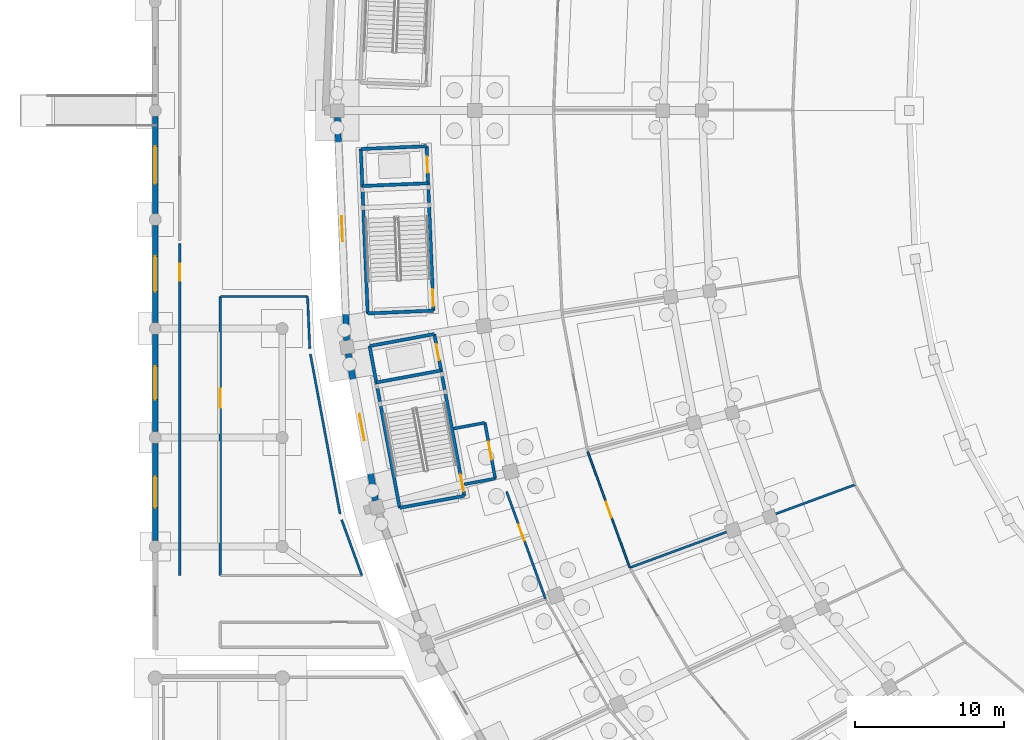
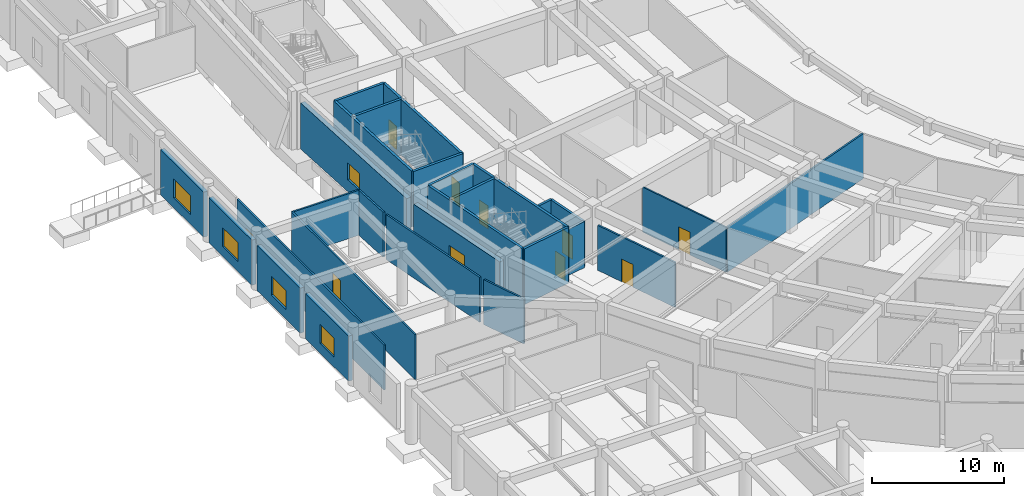
# One storey, part 45 of 88: 28 walls, 9 doors, 6 windows, 15 openings.
"""IFC4 building model written with IfcOpenShell, lengths in metres."""

from ifc_helpers import new_model, si_unit, direction, frame, frame_2d, origin, place, context, subcontext, project, spatial, rectangle, extrude, material, layer, layer_set, type_object, element, fill, save


model = new_model("IFC4")

# Units and contexts
model_context = context("Model", 3, precision=1e-05, world=origin(), true_north=direction((0.0, 1.0)))
body_context = subcontext(model_context, "Body", "Model", "MODEL_VIEW")
ifc_project = project(units=[si_unit("LENGTHUNIT", "METRE"), si_unit("AREAUNIT", "SQUARE_METRE"), si_unit("VOLUMEUNIT", "CUBIC_METRE"), si_unit("PLANEANGLEUNIT", "RADIAN"), si_unit("MASSUNIT", "GRAM", prefix="KILO")], contexts=[model_context])

# Site, building, storey
site_placement = place(None, origin())
site = spatial("IfcSite", under=ifc_project, at=site_placement, CompositionType="ELEMENT")
building_placement = place(site_placement, origin())
building = spatial("IfcBuilding", under=site, at=building_placement, Name="Mphavela Belvedere Stadium", CompositionType="ELEMENT")
storey_placement = place(building_placement, origin())
storey = spatial("IfcBuildingStorey", under=building, at=storey_placement, Name="L00", CompositionType="ELEMENT", Elevation=0.0)

# Walls
ifc_material_1 = material(Name="Concrete C40/50", Category="concrete")
ifc_layer_1 = layer(ifc_material_1, 0.219970703125)
ifc_layer_set_1 = layer_set([ifc_layer_1], Name="Concrete C40/50")
wall_type_1 = type_object("IfcWallType", Name="WAL-CORE-SHEAR-220", PredefinedType="SHEAR", material=ifc_layer_set_1)
wall_1_placement = place(storey_placement, frame((14.228271484375, 73.414794921875, 0.0), z_axis=(0.0, 0.0, 1.0), x_axis=(-0.041871977473, 0.999122984173, 0.0)))
element("IfcWall", 1, at=wall_1_placement, inside=storey, type_object=wall_type_1, Name="Core C08 shear wall L00 rear", PredefinedType="SHEAR", context=body_context, shape_type="SweptSolid", body=[
    extrude(rectangle(XDim=11.02001953125, YDim=0.219970703125, at=frame_2d((5.510009765625, 0.0))), origin(), (0.0, 0.0, 1.0), 5.14990234375),
])
for number, where, z_axis, x_axis, name in (
    (2, (18.634521484375, 73.599609375, 0.0), (0.0, 0.0, 1.0), (-0.999121521721, -0.041906859039, 0.0), "Core C08 shear wall L00 left"),
    (3, (18.173095703125, 84.60986328125, 0.0), (0.0, 0.0, 1.0), (-0.999121521721, -0.041906859039, 0.0), "Core C08 shear wall L00 right"),
):
    element("IfcWall", number, at=place(storey_placement, frame(where, z_axis=z_axis, x_axis=x_axis)), inside=storey, type_object=wall_type_1, Name=name, PredefinedType="SHEAR", context=body_context, shape_type="SweptSolid", body=[
        extrude(rectangle(XDim=4.41015625, YDim=0.219970703125, at=frame_2d((2.205078125, 0.0))), origin(), (0.0, 0.0, 1.0), 5.14990234375),
    ])

# Wall, openings, doors
wall_2_placement = place(storey_placement, frame((18.634521484375, 73.599609375, 0.0), z_axis=(0.0, 0.0, 1.0), x_axis=(-0.041871977473, 0.999122984173, 0.0)))
wall_2 = element("IfcWall", 4, at=wall_2_placement, inside=storey, type_object=wall_type_1, Name="Core C08 shear wall L00 front", PredefinedType="SHEAR", context=body_context, shape_type="SweptSolid", body=[
    extrude(rectangle(XDim=11.02001953125, YDim=0.219970703125, at=frame_2d((5.510009765625, 0.0))), origin(), (0.0, 0.0, 1.0), 5.14990234375),
])
opening_1_placement = place(wall_2_placement, frame((0.300048828125, 0.0, 0.0)))
opening_1 = element("IfcOpeningElement", 5, at=opening_1_placement, cuts=wall_2, Name="Opening SD-039", PredefinedType="OPENING", context=body_context, shape_type="SweptSolid", body=[
    extrude(rectangle(XDim=1.14990234375, YDim=2.14990234375, at=frame_2d((0.574951171875, 1.074951171875))), frame((0.0, 0.1201171875, 0.0), z_axis=(0.0, -1.0, 0.0), x_axis=(1.0, 0.0, 0.0)), (0.0, 0.0, 1.0), 0.239990234375),
])
opening_2_placement = place(wall_2_placement, frame((9.22998046875, 0.0, 0.0)))
opening_2 = element("IfcOpeningElement", 6, at=opening_2_placement, cuts=wall_2, Name="Opening LD-039", PredefinedType="OPENING", context=body_context, shape_type="SweptSolid", body=[
    extrude(rectangle(XDim=1.10009765625, YDim=2.14990234375, at=frame_2d((0.550048828125, 1.074951171875))), frame((0.0, 0.1201171875, 0.0), z_axis=(0.0, -1.0, 0.0), x_axis=(1.0, 0.0, 0.0)), (0.0, 0.0, 1.0), 0.239990234375),
])
ifc_material_2 = material(Name="Stainless steel center-parting lift landing door", Category="steel")
door_type_1 = type_object("IfcDoorType", Name="DR-LIFT-SLIDE-1100", OperationType="NOTDEFINED", PredefinedType="DOOR", material=ifc_material_2)
door_1_placement = place(opening_2_placement, origin())
door_1 = element("IfcDoor", 7, at=door_1_placement, inside=storey, type_object=door_type_1, Name="Lift landing sliding door PL04 L00", OperationType="DOUBLE_DOOR_SLIDING", OverallHeight=2.14990234375, OverallWidth=1.10009765625, PredefinedType="DOOR", context=body_context, shape_type="SweptSolid", body=[
    extrude(rectangle(XDim=1.10009765625, YDim=2.14990234375, at=frame_2d((0.550048828125, 1.074951171875))), frame((0.0, 0.02490234375, 0.0), z_axis=(0.0, -1.0, 0.0), x_axis=(1.0, 0.0, 0.0)), (0.0, 0.0, 1.0), 0.050048828125),
])
fill(opening_2, door_1)
ifc_material_3 = material(Name="Steel acoustic fire-resisting stair doorset", Category="steel")
door_type_2 = type_object("IfcDoorType", Name="DR-STAIR-FIRE-1150", OperationType="NOTDEFINED", PredefinedType="DOOR", material=ifc_material_3)
door_2_placement = place(opening_1_placement, origin())
door_2 = element("IfcDoor", 8, at=door_2_placement, inside=storey, type_object=door_type_2, Name="Escape stair fire door C08 L00", OperationType="SINGLE_SWING_LEFT", OverallHeight=2.14990234375, OverallWidth=1.14990234375, PredefinedType="DOOR", context=body_context, shape_type="SweptSolid", body=[
    extrude(rectangle(XDim=1.14990234375, YDim=2.14990234375, at=frame_2d((0.574951171875, 1.074951171875))), frame((0.0, 0.02490234375, 0.0), z_axis=(0.0, -1.0, 0.0), x_axis=(1.0, 0.0, 0.0)), (0.0, 0.0, 1.0), 0.050048828125),
])
fill(opening_1, door_2)

# Walls
wall_3_placement = place(storey_placement, frame((18.27685546875, 82.132080078125, 0.0), z_axis=(0.0, 0.0, 1.0), x_axis=(-0.999121521721, -0.041906859039, 0.0)))
element("IfcWall", 9, at=wall_3_placement, inside=storey, type_object=wall_type_1, Name="Core C08 shear wall L00 div", PredefinedType="SHEAR", context=body_context, shape_type="SweptSolid", body=[
    extrude(rectangle(XDim=4.41015625, YDim=0.219970703125, at=frame_2d((2.205078125, 0.0))), origin(), (0.0, 0.0, 1.0), 5.14990234375),
])
wall_4_placement = place(storey_placement, frame((16.367919921875, 60.391845703125, 0.0), z_axis=(0.0, 0.0, 1.0), x_axis=(-0.182570778451, 0.983192712979, 0.0)))
element("IfcWall", 10, at=wall_4_placement, inside=storey, type_object=wall_type_1, Name="Core C09 shear wall L00 rear", PredefinedType="SHEAR", context=body_context, shape_type="SweptSolid", body=[
    extrude(rectangle(XDim=11.020263671875, YDim=0.219970703125, at=frame_2d((5.51025390625, 0.0))), origin(), (0.0, 0.0, 1.0), 5.14990234375),
])
for number, where, z_axis, x_axis, name in (
    (11, (20.703857421875, 61.197021484375, 0.0), (0.0, 0.0, 1.0), (-0.983191575486, -0.182576904051, 0.0), "Core C09 shear wall L00 left"),
    (12, (18.69189453125, 72.031982421875, 0.0), (0.0, 0.0, 1.0), (-0.983191575486, -0.182576904051, 0.0), "Core C09 shear wall L00 right"),
):
    element("IfcWall", number, at=place(storey_placement, frame(where, z_axis=z_axis, x_axis=x_axis)), inside=storey, type_object=wall_type_1, Name=name, PredefinedType="SHEAR", context=body_context, shape_type="SweptSolid", body=[
        extrude(rectangle(XDim=4.41015625, YDim=0.219970703125, at=frame_2d((2.205078125, 0.0))), origin(), (0.0, 0.0, 1.0), 5.14990234375),
    ])

# Wall, openings, doors
wall_5_placement = place(storey_placement, frame((20.703857421875, 61.197021484375, 0.0), z_axis=(0.0, 0.0, 1.0), x_axis=(-0.182570778451, 0.983192712979, 0.0)))
wall_5 = element("IfcWall", 13, at=wall_5_placement, inside=storey, type_object=wall_type_1, Name="Core C09 shear wall L00 front", PredefinedType="SHEAR", context=body_context, shape_type="SweptSolid", body=[
    extrude(rectangle(XDim=11.020263671875, YDim=0.219970703125, at=frame_2d((5.51025390625, 0.0))), origin(), (0.0, 0.0, 1.0), 5.14990234375),
])
opening_3_placement = place(wall_5_placement, frame((0.300048828125, 0.0, 0.0)))
opening_3 = element("IfcOpeningElement", 14, at=opening_3_placement, cuts=wall_5, Name="Opening SD-045", PredefinedType="OPENING", context=body_context, shape_type="SweptSolid", body=[
    extrude(rectangle(XDim=1.14990234375, YDim=2.14990234375, at=frame_2d((0.574951171875, 1.074951171875))), frame((0.0, 0.1201171875, 0.0), z_axis=(0.0, -1.0, 0.0), x_axis=(1.0, 0.0, 0.0)), (0.0, 0.0, 1.0), 0.239990234375),
])
opening_4_placement = place(wall_5_placement, frame((9.22998046875, 0.0, 0.0)))
opening_4 = element("IfcOpeningElement", 15, at=opening_4_placement, cuts=wall_5, Name="Opening LD-045", PredefinedType="OPENING", context=body_context, shape_type="SweptSolid", body=[
    extrude(rectangle(XDim=1.10009765625, YDim=2.14990234375, at=frame_2d((0.550048828125, 1.074951171875))), frame((0.0, 0.1201171875, 0.0), z_axis=(0.0, -1.0, 0.0), x_axis=(1.0, 0.0, 0.0)), (0.0, 0.0, 1.0), 0.239990234375),
])
door_3_placement = place(opening_4_placement, origin())
door_3 = element("IfcDoor", 16, at=door_3_placement, inside=storey, type_object=door_type_1, Name="Lift landing sliding door FL04 L00", OperationType="DOUBLE_DOOR_SLIDING", OverallHeight=2.14990234375, OverallWidth=1.10009765625, PredefinedType="DOOR", context=body_context, shape_type="SweptSolid", body=[
    extrude(rectangle(XDim=1.10009765625, YDim=2.14990234375, at=frame_2d((0.550048828125, 1.074951171875))), frame((0.0, 0.02490234375, 0.0), z_axis=(0.0, -1.0, 0.0), x_axis=(1.0, 0.0, 0.0)), (0.0, 0.0, 1.0), 0.050048828125),
])
fill(opening_4, door_3)
door_4_placement = place(opening_3_placement, origin())
door_4 = element("IfcDoor", 17, at=door_4_placement, inside=storey, type_object=door_type_2, Name="Escape stair fire door C09 L00", OperationType="SINGLE_SWING_LEFT", OverallHeight=2.14990234375, OverallWidth=1.14990234375, PredefinedType="DOOR", context=body_context, shape_type="SweptSolid", body=[
    extrude(rectangle(XDim=1.14990234375, YDim=2.14990234375, at=frame_2d((0.574951171875, 1.074951171875))), frame((0.0, 0.02490234375, 0.0), z_axis=(0.0, -1.0, 0.0), x_axis=(1.0, 0.0, 0.0)), (0.0, 0.0, 1.0), 0.050048828125),
])
fill(opening_3, door_4)

# Wall
wall_6_placement = place(storey_placement, frame((19.14453125, 69.593505859375, 0.0), z_axis=(0.0, 0.0, 1.0), x_axis=(-0.983189729951, -0.18258684213, 0.0)))
element("IfcWall", 18, at=wall_6_placement, inside=storey, type_object=wall_type_1, Name="Core C09 shear wall L00 div", PredefinedType="SHEAR", context=body_context, shape_type="SweptSolid", body=[
    extrude(rectangle(XDim=4.409912109375, YDim=0.219970703125, at=frame_2d((2.205078125, 0.0))), origin(), (0.0, 0.0, 1.0), 5.14990234375),
])

# Wall, opening, window
ifc_material_4 = material(Name="Honed ashlar limestone masonry", Category="masonry")
ifc_layer_2 = layer(ifc_material_4, 0.35009765625)
ifc_layer_set_2 = layer_set([ifc_layer_2], Name="Honed ashlar limestone masonry")
wall_type_2 = type_object("IfcWallType", Name="WAL-EXT-ASHLAR-350", PredefinedType="STANDARD", material=ifc_layer_set_2)
wall_7_placement = place(storey_placement, frame((0.0, 58.197998046875, 0.0), z_axis=(0.0, 0.0, 1.0), x_axis=(0.0, 1.0, 0.0)))
wall_7 = element("IfcWall", 19, at=wall_7_placement, inside=storey, type_object=wall_type_2, Name="West Planted Eaves Peristyle Colonnade outer facade bay L00-02", PredefinedType="STANDARD", context=body_context, shape_type="SweptSolid", body=[
    extrude(rectangle(XDim=6.50390625, YDim=0.35009765625, at=frame_2d((3.251953125, 0.0))), origin(), (0.0, 0.0, 1.0), 4.159912109375),
])
opening_5_placement = place(wall_7_placement, frame((2.2119140625, 0.0, 0.89990234375)))
opening_5 = element("IfcOpeningElement", 20, at=opening_5_placement, cuts=wall_7, Name="Opening W-239", PredefinedType="OPENING", context=body_context, shape_type="SweptSolid", body=[
    extrude(rectangle(XDim=2.080078125, YDim=1.75, at=frame_2d((1.0400390625, 0.875))), frame((0.0, 0.18505859375, 0.0), z_axis=(0.0, -1.0, 0.0), x_axis=(1.0, 0.0, 0.0)), (0.0, 0.0, 1.0), 0.3701171875),
])
ifc_material_5 = material(Name="Bronze-anodised thermally broken aluminium window", Category="aluminium")
window_type_1 = type_object("IfcWindowType", Name="WIN-EXT-19", PartitioningType="SINGLE_PANEL", PredefinedType="WINDOW", material=ifc_material_5)
window_1_placement = place(opening_5_placement, origin())
window_1 = element("IfcWindow", 21, at=window_1_placement, inside=storey, type_object=window_type_1, Name="West Planted Eaves Peristyle Colonnade classical window W-239", OverallHeight=1.75, OverallWidth=2.080078125, PartitioningType="SINGLE_PANEL", PredefinedType="WINDOW", context=body_context, shape_type="SweptSolid", body=[
    extrude(rectangle(XDim=2.080078125, YDim=1.75, at=frame_2d((1.0400390625, 0.875))), frame((0.0, 0.030029296875, 0.0), z_axis=(0.0, -1.0, 0.0), x_axis=(1.0, 0.0, 0.0)), (0.0, 0.0, 1.0), 0.06005859375),
])
fill(opening_5, window_1)

wall_8_placement = place(storey_placement, frame((0.0, 65.498046875, 0.0), z_axis=(0.0, 0.0, 1.0), x_axis=(0.0, 1.0, 0.0)))
wall_8 = element("IfcWall", 22, at=wall_8_placement, inside=storey, type_object=wall_type_2, Name="West Planted Eaves Peristyle Colonnade outer facade bay L00-03", PredefinedType="STANDARD", context=body_context, shape_type="SweptSolid", body=[
    extrude(rectangle(XDim=6.50390625, YDim=0.35009765625, at=frame_2d((3.251953125, 0.0))), origin(), (0.0, 0.0, 1.0), 4.159912109375),
])
opening_6_placement = place(wall_8_placement, frame((2.14208984375, 0.0, 0.89990234375)))
opening_6 = element("IfcOpeningElement", 23, at=opening_6_placement, cuts=wall_8, Name="Opening W-240", PredefinedType="OPENING", context=body_context, shape_type="SweptSolid", body=[
    extrude(rectangle(XDim=2.219970703125, YDim=1.75, at=frame_2d((1.10986328125, 0.875))), frame((0.0, 0.18505859375, 0.0), z_axis=(0.0, -1.0, 0.0), x_axis=(1.0, 0.0, 0.0)), (0.0, 0.0, 1.0), 0.3701171875),
])
ifc_material_6 = material(Name="Bronze-anodised thermally broken aluminium window", Category="aluminium")
window_type_2 = type_object("IfcWindowType", Name="WIN-EXT-20", PartitioningType="SINGLE_PANEL", PredefinedType="WINDOW", material=ifc_material_6)
window_2_placement = place(opening_6_placement, origin())
window_2 = element("IfcWindow", 24, at=window_2_placement, inside=storey, type_object=window_type_2, Name="West Planted Eaves Peristyle Colonnade classical window W-240", OverallHeight=1.75, OverallWidth=2.219970703125, PartitioningType="SINGLE_PANEL", PredefinedType="WINDOW", context=body_context, shape_type="SweptSolid", body=[
    extrude(rectangle(XDim=2.219970703125, YDim=1.75, at=frame_2d((1.10986328125, 0.875))), frame((0.0, 0.030029296875, 0.0), z_axis=(0.0, -1.0, 0.0), x_axis=(1.0, 0.0, 0.0)), (0.0, 0.0, 1.0), 0.06005859375),
])
fill(opening_6, window_2)

wall_9_placement = place(storey_placement, frame((0.0, 72.798095703125, 0.0), z_axis=(0.0, 0.0, 1.0), x_axis=(0.0, 1.0, 0.0)))
wall_9 = element("IfcWall", 25, at=wall_9_placement, inside=storey, type_object=wall_type_2, Name="West Planted Eaves Peristyle Colonnade outer facade bay L00-04", PredefinedType="STANDARD", context=body_context, shape_type="SweptSolid", body=[
    extrude(rectangle(XDim=6.50390625, YDim=0.35009765625, at=frame_2d((3.251953125, 0.0))), origin(), (0.0, 0.0, 1.0), 4.159912109375),
])
opening_7_placement = place(wall_9_placement, frame((2.072021484375, 0.0, 0.89990234375)))
opening_7 = element("IfcOpeningElement", 26, at=opening_7_placement, cuts=wall_9, Name="Opening W-241", PredefinedType="OPENING", context=body_context, shape_type="SweptSolid", body=[
    extrude(rectangle(XDim=2.360107421875, YDim=1.75, at=frame_2d((1.18017578125, 0.875))), frame((0.0, 0.18505859375, 0.0), z_axis=(0.0, -1.0, 0.0), x_axis=(1.0, 0.0, 0.0)), (0.0, 0.0, 1.0), 0.3701171875),
])
ifc_material_7 = material(Name="Bronze-anodised thermally broken aluminium window", Category="aluminium")
window_type_3 = type_object("IfcWindowType", Name="WIN-EXT-21", PartitioningType="SINGLE_PANEL", PredefinedType="WINDOW", material=ifc_material_7)
window_3_placement = place(opening_7_placement, origin())
window_3 = element("IfcWindow", 27, at=window_3_placement, inside=storey, type_object=window_type_3, Name="West Planted Eaves Peristyle Colonnade classical window W-241", OverallHeight=1.75, OverallWidth=2.360107421875, PartitioningType="SINGLE_PANEL", PredefinedType="WINDOW", context=body_context, shape_type="SweptSolid", body=[
    extrude(rectangle(XDim=2.360107421875, YDim=1.75, at=frame_2d((1.18017578125, 0.875))), frame((0.0, 0.030029296875, 0.0), z_axis=(0.0, -1.0, 0.0), x_axis=(1.0, 0.0, 0.0)), (0.0, 0.0, 1.0), 0.06005859375),
])
fill(opening_7, window_3)

wall_10_placement = place(storey_placement, frame((0.0, 80.097900390625, 0.0), z_axis=(0.0, 0.0, 1.0), x_axis=(0.0, 1.0, 0.0)))
wall_10 = element("IfcWall", 28, at=wall_10_placement, inside=storey, type_object=wall_type_2, Name="West Planted Eaves Peristyle Colonnade outer facade bay L00-05", PredefinedType="STANDARD", context=body_context, shape_type="SweptSolid", body=[
    extrude(rectangle(XDim=6.504150390625, YDim=0.35009765625, at=frame_2d((3.251953125, 0.0))), origin(), (0.0, 0.0, 1.0), 4.159912109375),
])
opening_8_placement = place(wall_10_placement, frame((1.991943359375, 0.0, 0.89990234375)))
opening_8 = element("IfcOpeningElement", 29, at=opening_8_placement, cuts=wall_10, Name="Opening W-242", PredefinedType="OPENING", context=body_context, shape_type="SweptSolid", body=[
    extrude(rectangle(XDim=2.52001953125, YDim=1.75, at=frame_2d((1.260009765625, 0.875))), frame((0.0, 0.18505859375, 0.0), z_axis=(0.0, -1.0, 0.0), x_axis=(1.0, 0.0, 0.0)), (0.0, 0.0, 1.0), 0.3701171875),
])
ifc_material_8 = material(Name="Bronze-anodised thermally broken aluminium window", Category="aluminium")
window_type_4 = type_object("IfcWindowType", Name="WIN-EXT-22", PartitioningType="SINGLE_PANEL", PredefinedType="WINDOW", material=ifc_material_8)
window_4_placement = place(opening_8_placement, origin())
window_4 = element("IfcWindow", 30, at=window_4_placement, inside=storey, type_object=window_type_4, Name="West Planted Eaves Peristyle Colonnade classical window W-242", OverallHeight=1.75, OverallWidth=2.52001953125, PartitioningType="SINGLE_PANEL", PredefinedType="WINDOW", context=body_context, shape_type="SweptSolid", body=[
    extrude(rectangle(XDim=2.52001953125, YDim=1.75, at=frame_2d((1.260009765625, 0.875))), frame((0.0, 0.030029296875, 0.0), z_axis=(0.0, -1.0, 0.0), x_axis=(1.0, 0.0, 0.0)), (0.0, 0.0, 1.0), 0.06005859375),
])
fill(opening_8, window_4)

ifc_material_9 = material(Name="Rusticated ashlar limestone masonry", Category="masonry")
ifc_layer_3 = layer(ifc_material_9, 0.39990234375)
ifc_layer_set_3 = layer_set([ifc_layer_3], Name="Rusticated ashlar limestone masonry")
wall_type_3 = type_object("IfcWallType", Name="WAL-EXT-ASHLAR-400", PredefinedType="STANDARD", material=ifc_layer_set_3)
wall_11_placement = place(storey_placement, frame((12.82568359375, 71.6025390625, 0.0), z_axis=(0.0, 0.0, 1.0), x_axis=(-0.041899972393, 0.999121810548, 0.0)))
wall_11 = element("IfcWall", 31, at=wall_11_placement, inside=storey, type_object=wall_type_3, Name="Ground plinth rusticated ashlar wall 25", PredefinedType="STANDARD", context=body_context, shape_type="SweptSolid", body=[
    extrude(rectangle(XDim=14.963134765625, YDim=0.39990234375, at=frame_2d((7.4814453125, 0.0))), origin(), (0.0, 0.0, 1.0), 4.25),
])
opening_9_placement = place(wall_11_placement, frame((6.651611328125, 0.0, 1.10009765625)))
opening_9 = element("IfcOpeningElement", 32, at=opening_9_placement, cuts=wall_11, Name="Opening W-005", PredefinedType="OPENING", context=body_context, shape_type="SweptSolid", body=[
    extrude(rectangle(XDim=1.659912109375, YDim=1.550048828125, at=frame_2d((0.830078125, 0.77490234375))), frame((0.0, 0.2099609375, 0.0), z_axis=(0.0, -1.0, 0.0), x_axis=(1.0, 0.0, 0.0)), (0.0, 0.0, 1.0), 0.419921875),
])
ifc_material_10 = material(Name="Bronze-anodised thermally broken aluminium window", Category="aluminium")
window_type_5 = type_object("IfcWindowType", Name="WIN-EXT-05", PartitioningType="SINGLE_PANEL", PredefinedType="WINDOW", material=ifc_material_10)
window_5_placement = place(opening_9_placement, origin())
window_5 = element("IfcWindow", 33, at=window_5_placement, inside=storey, type_object=window_type_5, Name="Plinth classical window W-005", OverallHeight=1.550048828125, OverallWidth=1.659912109375, PartitioningType="SINGLE_PANEL", PredefinedType="WINDOW", context=body_context, shape_type="SweptSolid", body=[
    extrude(rectangle(XDim=1.659912109375, YDim=1.550048828125, at=frame_2d((0.830078125, 0.77490234375))), frame((0.0, 0.030029296875, 0.0), z_axis=(0.0, -1.0, 0.0), x_axis=(1.0, 0.0, 0.0)), (0.0, 0.0, 1.0), 0.06005859375),
])
fill(opening_9, window_5)

wall_12_placement = place(storey_placement, frame((14.753662109375, 60.8779296875, 0.0), z_axis=(0.0, 0.0, 1.0), x_axis=(-0.182624880635, 0.98318266511, 0.0)))
wall_12 = element("IfcWall", 34, at=wall_12_placement, inside=storey, type_object=wall_type_3, Name="Ground plinth rusticated ashlar wall 26", PredefinedType="STANDARD", context=body_context, shape_type="SweptSolid", body=[
    extrude(rectangle(XDim=10.0048828125, YDim=0.39990234375, at=frame_2d((5.00244140625, 0.0))), origin(), (0.0, 0.0, 1.0), 4.25),
])
opening_10_placement = place(wall_12_placement, frame((4.102294921875, 0.0, 1.10009765625)))
opening_10 = element("IfcOpeningElement", 35, at=opening_10_placement, cuts=wall_12, Name="Opening W-006", PredefinedType="OPENING", context=body_context, shape_type="SweptSolid", body=[
    extrude(rectangle(XDim=1.800048828125, YDim=1.550048828125, at=frame_2d((0.89990234375, 0.77490234375))), frame((0.0, 0.2099609375, 0.0), z_axis=(0.0, -1.0, 0.0), x_axis=(1.0, 0.0, 0.0)), (0.0, 0.0, 1.0), 0.419921875),
])
ifc_material_11 = material(Name="Bronze-anodised thermally broken aluminium window", Category="aluminium")
window_type_6 = type_object("IfcWindowType", Name="WIN-EXT-06", PartitioningType="SINGLE_PANEL", PredefinedType="WINDOW", material=ifc_material_11)
window_6_placement = place(opening_10_placement, origin())
window_6 = element("IfcWindow", 36, at=window_6_placement, inside=storey, type_object=window_type_6, Name="Plinth classical window W-006", OverallHeight=1.550048828125, OverallWidth=1.800048828125, PartitioningType="SINGLE_PANEL", PredefinedType="WINDOW", context=body_context, shape_type="SweptSolid", body=[
    extrude(rectangle(XDim=1.800048828125, YDim=1.550048828125, at=frame_2d((0.89990234375, 0.77490234375))), frame((0.0, 0.030029296875, 0.0), z_axis=(0.0, -1.0, 0.0), x_axis=(1.0, 0.0, 0.0)), (0.0, 0.0, 1.0), 0.06005859375),
])
fill(opening_10, window_6)

# Wall, opening, door
ifc_material_12 = material(Name="Moisture-resistant sanitary partition assembly")
ifc_layer_4 = layer(ifc_material_12, 0.125)
ifc_layer_set_4 = layer_set([ifc_layer_4], Name="Moisture-resistant sanitary partition assembly")
wall_type_4 = type_object("IfcWallType", Name="WAL-PART-125", PredefinedType="PARTITIONING", material=ifc_layer_set_4)
wall_13_placement = place(storey_placement, frame((31.782470703125, 56.384765625, 0.0), z_axis=(0.0, 0.0, 1.0), x_axis=(-0.341044733968, 0.940047067669, 0.0)))
wall_13 = element("IfcWall", 37, at=wall_13_placement, inside=storey, type_object=wall_type_4, Name="Room L00-101 corridor partition", PredefinedType="PARTITIONING", context=body_context, shape_type="SweptSolid", body=[
    extrude(rectangle(XDim=8.25390625, YDim=0.125, at=frame_2d((4.126953125, 0.0))), origin(), (0.0, 0.0, 1.0), 4.14990234375),
])
opening_11_placement = place(wall_13_placement, frame((3.576904296875, 0.0, 0.0)))
opening_11 = element("IfcOpeningElement", 38, at=opening_11_placement, cuts=wall_13, Name="Opening ID-042", PredefinedType="OPENING", context=body_context, shape_type="SweptSolid", body=[
    extrude(rectangle(XDim=1.10009765625, YDim=2.10009765625, at=frame_2d((0.550048828125, 1.050048828125))), frame((0.0, 0.072509765625, 0.0), z_axis=(0.0, -1.0, 0.0), x_axis=(1.0, 0.0, 0.0)), (0.0, 0.0, 1.0), 0.14501953125),
])
ifc_material_13 = material(Name="Hardwood acoustic timber doorset", Category="wood")
door_type_3 = type_object("IfcDoorType", Name="DR-INT-06", OperationType="NOTDEFINED", PredefinedType="DOOR", material=ifc_material_13)
door_5_placement = place(opening_11_placement, origin())
door_5 = element("IfcDoor", 39, at=door_5_placement, inside=storey, type_object=door_type_3, Name="Room L00-101 entrance door ID-042", OperationType="SINGLE_SWING_RIGHT", OverallHeight=2.10009765625, OverallWidth=1.10009765625, PredefinedType="DOOR", context=body_context, shape_type="SweptSolid", body=[
    extrude(rectangle(XDim=1.10009765625, YDim=2.10009765625, at=frame_2d((0.550048828125, 1.050048828125))), frame((0.0, 0.02490234375, 0.0), z_axis=(0.0, -1.0, 0.0), x_axis=(1.0, 0.0, 0.0)), (0.0, 0.0, 1.0), 0.050048828125),
])
fill(opening_11, door_5)

ifc_material_14 = material(Name="Acoustic gypsum stud partition assembly")
ifc_layer_5 = layer(ifc_material_14, 0.14990234375)
ifc_layer_set_5 = layer_set([ifc_layer_5], Name="Acoustic gypsum stud partition assembly")
wall_type_5 = type_object("IfcWallType", Name="WAL-PART-150", PredefinedType="PARTITIONING", material=ifc_layer_set_5)
wall_14_placement = place(storey_placement, frame((23.531005859375, 61.47802734375, 0.0), z_axis=(0.0, 0.0, 1.0), x_axis=(0.341013494536, -0.940058400603, 0.0)))
wall_14 = element("IfcWall", 40, at=wall_14_placement, inside=storey, type_object=wall_type_5, Name="Room L00-102 corridor partition", PredefinedType="PARTITIONING", context=body_context, shape_type="SweptSolid", body=[
    extrude(rectangle(XDim=7.6318359375, YDim=0.14990234375, at=frame_2d((3.81591796875, 0.0))), origin(), (0.0, 0.0, 1.0), 4.14990234375),
])
opening_12_placement = place(wall_14_placement, frame((2.3681640625, 0.0, 0.0)))
opening_12 = element("IfcOpeningElement", 41, at=opening_12_placement, cuts=wall_14, Name="Opening ID-043", PredefinedType="OPENING", context=body_context, shape_type="SweptSolid", body=[
    extrude(rectangle(XDim=1.139892578125, YDim=2.10009765625, at=frame_2d((0.56982421875, 1.050048828125))), frame((0.0, 0.0849609375, 0.0), z_axis=(0.0, -1.0, 0.0), x_axis=(1.0, 0.0, 0.0)), (0.0, 0.0, 1.0), 0.169921875),
])
ifc_material_15 = material(Name="Hardwood acoustic timber doorset", Category="wood")
door_type_4 = type_object("IfcDoorType", Name="DR-INT-07", OperationType="NOTDEFINED", PredefinedType="DOOR", material=ifc_material_15)
door_6_placement = place(opening_12_placement, origin())
door_6 = element("IfcDoor", 42, at=door_6_placement, inside=storey, type_object=door_type_4, Name="Room L00-102 entrance door ID-043", OperationType="SINGLE_SWING_LEFT", OverallHeight=2.10009765625, OverallWidth=1.139892578125, PredefinedType="DOOR", context=body_context, shape_type="SweptSolid", body=[
    extrude(rectangle(XDim=1.139892578125, YDim=2.10009765625, at=frame_2d((0.56982421875, 1.050048828125))), frame((0.0, 0.02490234375, 0.0), z_axis=(0.0, -1.0, 0.0), x_axis=(1.0, 0.0, 0.0)), (0.0, 0.0, 1.0), 0.050048828125),
])
fill(opening_12, door_6)

wall_15_placement = place(storey_placement, frame((1.639892578125, 78.090087890625, 0.0), z_axis=(0.0, 0.0, 1.0), x_axis=(0.0, -1.0, 0.0)))
wall_15 = element("IfcWall", 43, at=wall_15_placement, inside=storey, type_object=wall_type_5, Name="Room L00-199 corridor partition", PredefinedType="PARTITIONING", context=body_context, shape_type="SweptSolid", body=[
    extrude(rectangle(XDim=22.22998046875, YDim=0.14990234375, at=frame_2d((11.114990234375, 0.0))), origin(), (0.0, 0.0, 1.0), 4.14990234375),
])
opening_13_placement = place(wall_15_placement, frame((1.342529296875, 0.0, 0.0)))
opening_13 = element("IfcOpeningElement", 44, at=opening_13_placement, cuts=wall_15, Name="Opening ID-499", PredefinedType="OPENING", context=body_context, shape_type="SweptSolid", body=[
    extrude(rectangle(XDim=1.139892578125, YDim=2.300048828125, at=frame_2d((0.56982421875, 1.14990234375))), frame((0.0, 0.0849609375, 0.0), z_axis=(0.0, -1.0, 0.0), x_axis=(1.0, 0.0, 0.0)), (0.0, 0.0, 1.0), 0.169921875),
])
ifc_material_16 = material(Name="Hardwood acoustic timber doorset", Category="wood")
door_type_5 = type_object("IfcDoorType", Name="DR-INT-31", OperationType="NOTDEFINED", PredefinedType="DOOR", material=ifc_material_16)
door_7_placement = place(opening_13_placement, origin())
door_7 = element("IfcDoor", 45, at=door_7_placement, inside=storey, type_object=door_type_5, Name="Room L00-199 entrance door ID-499", OperationType="SINGLE_SWING_LEFT", OverallHeight=2.300048828125, OverallWidth=1.139892578125, PredefinedType="DOOR", context=body_context, shape_type="SweptSolid", body=[
    extrude(rectangle(XDim=1.139892578125, YDim=2.300048828125, at=frame_2d((0.56982421875, 1.14990234375))), frame((0.0, 0.02490234375, 0.0), z_axis=(0.0, -1.0, 0.0), x_axis=(1.0, 0.0, 0.0)), (0.0, 0.0, 1.0), 0.050048828125),
])
fill(opening_13, door_7)

wall_16_placement = place(storey_placement, frame((4.360107421875, 55.860107421875, 0.0), z_axis=(0.0, 0.0, 1.0), x_axis=(0.0, 1.0, 0.0)))
wall_16 = element("IfcWall", 46, at=wall_16_placement, inside=storey, type_object=wall_type_5, Name="Room L00-202 corridor partition", PredefinedType="PARTITIONING", context=body_context, shape_type="SweptSolid", body=[
    extrude(rectangle(XDim=18.68994140625, YDim=0.14990234375, at=frame_2d((9.344970703125, 0.0))), origin(), (0.0, 0.0, 1.0), 4.14990234375),
])
opening_14_placement = place(wall_16_placement, frame((11.2333984375, 0.0, 0.0)))
opening_14 = element("IfcOpeningElement", 47, at=opening_14_placement, cuts=wall_16, Name="Opening ID-502", PredefinedType="OPENING", context=body_context, shape_type="SweptSolid", body=[
    extrude(rectangle(XDim=1.260009765625, YDim=2.300048828125, at=frame_2d((0.6298828125, 1.14990234375))), frame((0.0, 0.0849609375, 0.0), z_axis=(0.0, -1.0, 0.0), x_axis=(1.0, 0.0, 0.0)), (0.0, 0.0, 1.0), 0.169921875),
])
ifc_material_17 = material(Name="Hardwood acoustic timber doorset", Category="wood")
door_type_6 = type_object("IfcDoorType", Name="DR-INT-34", OperationType="NOTDEFINED", PredefinedType="DOOR", material=ifc_material_17)
door_8_placement = place(opening_14_placement, origin())
door_8 = element("IfcDoor", 48, at=door_8_placement, inside=storey, type_object=door_type_6, Name="Room L00-202 entrance door ID-502", OperationType="SINGLE_SWING_RIGHT", OverallHeight=2.300048828125, OverallWidth=1.260009765625, PredefinedType="DOOR", context=body_context, shape_type="SweptSolid", body=[
    extrude(rectangle(XDim=1.260009765625, YDim=2.300048828125, at=frame_2d((0.6298828125, 1.14990234375))), frame((0.0, 0.02490234375, 0.0), z_axis=(0.0, -1.0, 0.0), x_axis=(1.0, 0.0, 0.0)), (0.0, 0.0, 1.0), 0.050048828125),
])
fill(opening_14, door_8)

# Walls
wall_17_placement = place(storey_placement, frame((46.87548828125, 61.9453125, 0.0), z_axis=(0.0, 0.0, 1.0), x_axis=(-0.938343894245, -0.345703248659, 0.0)))
element("IfcWall", 49, at=wall_17_placement, inside=storey, type_object=wall_type_5, Name="Room divider partition L00-0077", PredefinedType="PARTITIONING", context=body_context, shape_type="SweptSolid", body=[
    extrude(rectangle(XDim=16.084716796875, YDim=0.14990234375, at=frame_2d((8.04248046875, 0.0))), origin(), (0.0, 0.0, 1.0), 4.14990234375),
])
wall_18_placement = place(storey_placement, frame((10.38671875, 70.698486328125, 0.0), z_axis=(0.0, 0.0, 1.0), x_axis=(0.182620957058, -0.983183393901, 0.0)))
element("IfcWall", 50, at=wall_18_placement, inside=storey, type_object=wall_type_5, Name="Room divider partition L00-1137", PredefinedType="PARTITIONING", context=body_context, shape_type="SweptSolid", body=[
    extrude(rectangle(XDim=10.90087890625, YDim=0.14990234375, at=frame_2d((5.450439453125, 0.0))), origin(), (0.0, 0.0, 1.0), 4.14990234375),
])
wall_19_placement = place(storey_placement, frame((12.4853515625, 59.5849609375, 0.0), z_axis=(0.0, 0.0, 1.0), x_axis=(0.341035525383, -0.94005040845, 0.0)))
element("IfcWall", 51, at=wall_19_placement, inside=storey, type_object=wall_type_5, Name="Room divider partition L00-1138", PredefinedType="PARTITIONING", context=body_context, shape_type="SweptSolid", body=[
    extrude(rectangle(XDim=3.96240234375, YDim=0.14990234375, at=frame_2d((1.981201171875, 0.0))), origin(), (0.0, 0.0, 1.0), 4.14990234375),
])
wall_20_placement = place(storey_placement, frame((4.360107421875, 74.550048828125, 0.0), z_axis=(0.0, 0.0, 1.0), x_axis=(1.0, 0.0, 0.0)))
element("IfcWall", 52, at=wall_20_placement, inside=storey, type_object=wall_type_5, Name="Room divider partition L00-1140", PredefinedType="PARTITIONING", context=body_context, shape_type="SweptSolid", body=[
    extrude(rectangle(XDim=5.83984375, YDim=0.14990234375, at=frame_2d((2.919921875, 0.0))), origin(), (0.0, 0.0, 1.0), 4.14990234375),
])
wall_21_placement = place(storey_placement, frame((10.199951171875, 74.550048828125, 0.0), z_axis=(0.0, 0.0, 1.0), x_axis=(0.041888559174, -0.999122289117, 0.0)))
element("IfcWall", 53, at=wall_21_placement, inside=storey, type_object=wall_type_5, Name="Room divider partition L00-1141", PredefinedType="PARTITIONING", context=body_context, shape_type="SweptSolid", body=[
    extrude(rectangle(XDim=3.5029296875, YDim=0.14990234375, at=frame_2d((1.75146484375, 0.0))), origin(), (0.0, 0.0, 1.0), 4.14990234375),
])

# Wall, opening, door
ifc_material_18 = material(Name="Fire-rated calcium silicate partition assembly")
ifc_layer_6 = layer(ifc_material_18, 0.199951171875)
ifc_layer_set_6 = layer_set([ifc_layer_6], Name="Fire-rated calcium silicate partition assembly")
wall_type_6 = type_object("IfcWallType", Name="WAL-PART-FF-200", PredefinedType="PARTITIONING", material=ifc_layer_set_6)
wall_22_placement = place(storey_placement, frame((22.7724609375, 62.354248046875, 0.0), z_axis=(0.0, 0.0, 1.0), x_axis=(-0.182593081072, 0.983188571305, 0.0)))
wall_22 = element("IfcWall", 54, at=wall_22_placement, inside=storey, type_object=wall_type_6, Name="Firefighting lobby front wall C09 L00", PredefinedType="PARTITIONING", context=body_context, shape_type="SweptSolid", body=[
    extrude(rectangle(XDim=3.800048828125, YDim=0.199951171875, at=frame_2d((1.89990234375, 0.0))), origin(), (0.0, 0.0, 1.0), 4.25),
])
opening_15_placement = place(wall_22_placement, frame((1.300048828125, 0.0, 0.0)))
opening_15 = element("IfcOpeningElement", 55, at=opening_15_placement, cuts=wall_22, Name="Opening FD-017", PredefinedType="OPENING", context=body_context, shape_type="SweptSolid", body=[
    extrude(rectangle(XDim=1.199951171875, YDim=2.179931640625, at=frame_2d((0.60009765625, 1.08984375))), frame((0.0, 0.10986328125, 0.0), z_axis=(0.0, -1.0, 0.0), x_axis=(1.0, 0.0, 0.0)), (0.0, 0.0, 1.0), 0.219970703125),
])
ifc_material_19 = material(Name="Steel smoke-sealed firefighting lobby doorset", Category="steel")
door_type_7 = type_object("IfcDoorType", Name="DR-FF-LOBBY-1200", OperationType="NOTDEFINED", PredefinedType="DOOR", material=ifc_material_19)
door_9_placement = place(opening_15_placement, origin())
door_9 = element("IfcDoor", 56, at=door_9_placement, inside=storey, type_object=door_type_7, Name="Firefighting lobby door C09 L00", OperationType="SINGLE_SWING_RIGHT", OverallHeight=2.179931640625, OverallWidth=1.199951171875, PredefinedType="DOOR", context=body_context, shape_type="SweptSolid", body=[
    extrude(rectangle(XDim=1.199951171875, YDim=2.179931640625, at=frame_2d((0.60009765625, 1.08984375))), frame((0.0, 0.02490234375, 0.0), z_axis=(0.0, -1.0, 0.0), x_axis=(1.0, 0.0, 0.0)), (0.0, 0.0, 1.0), 0.050048828125),
])
fill(opening_15, door_9)

# Walls
for number, where, z_axis, x_axis, name in (
    (57, (22.7724609375, 62.354248046875, 0.0), (0.0, 0.0, 1.0), (-0.983181056789, -0.18263353901, 0.0), "Firefighting lobby side wall L C09 L00"),
    (58, (22.07861328125, 66.09033203125, 0.0), (0.0, 0.0, 1.0), (-0.983201728106, -0.182522222892, 0.0), "Firefighting lobby side wall R C09 L00"),
):
    element("IfcWall", number, at=place(storey_placement, frame(where, z_axis=z_axis, x_axis=x_axis)), inside=storey, type_object=wall_type_6, Name=name, PredefinedType="PARTITIONING", context=body_context, shape_type="SweptSolid", body=[
        extrude(rectangle(XDim=2.1201171875, YDim=0.199951171875, at=frame_2d((1.06005859375, 0.0))), origin(), (0.0, 0.0, 1.0), 4.25),
    ])

save(model, "model.ifc")
